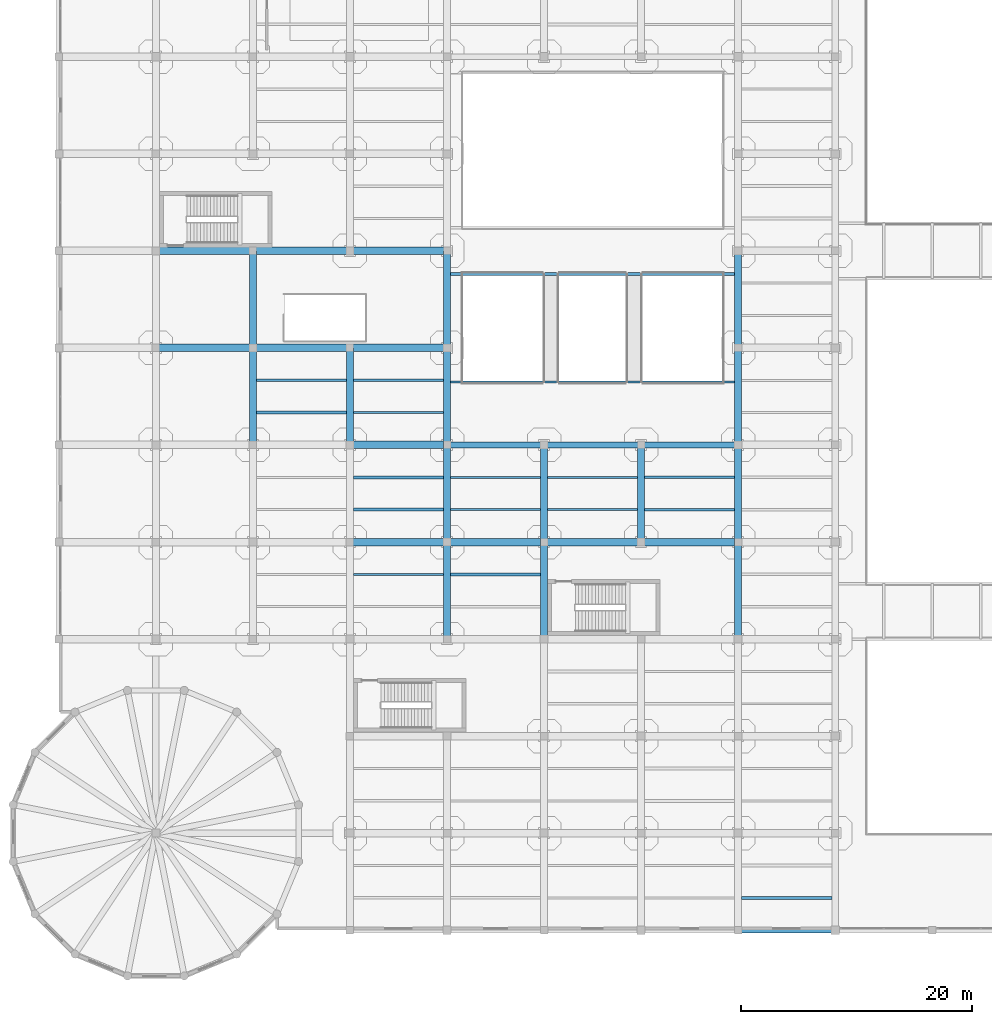
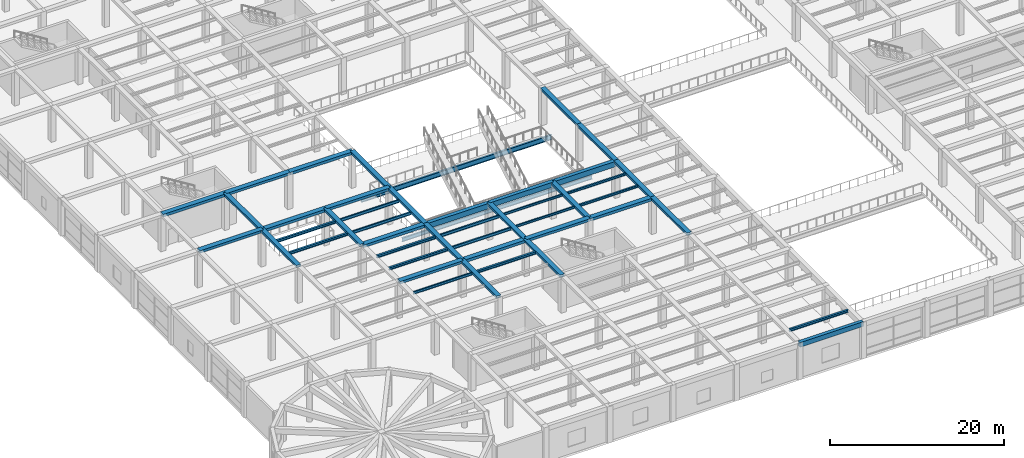
# One storey, part 10 of 65: 46 beams.
"""IFC4 building model written with IfcOpenShell, lengths in metres."""

from ifc_helpers import new_model, si_unit, direction, frame, origin, origin_2d, place, context, subcontext, project, spatial, rectangle, i_section, extrude, material, material_profile, profile_set, type_object, element, save


model = new_model("IFC4")

# Units and contexts
model_context = context("Model", 3, precision=1e-05, world=origin(), true_north=direction((0.0, 1.0)))
body_context = subcontext(model_context, "Body", "Model", "MODEL_VIEW")
ifc_project = project(units=[si_unit("LENGTHUNIT", "METRE"), si_unit("AREAUNIT", "SQUARE_METRE"), si_unit("VOLUMEUNIT", "CUBIC_METRE"), si_unit("PLANEANGLEUNIT", "RADIAN"), si_unit("MASSUNIT", "GRAM", prefix="KILO")], contexts=[model_context])

# Site, building, storey
site_placement = place(None, origin())
site = spatial("IfcSite", under=ifc_project, at=site_placement, CompositionType="ELEMENT")
building_placement = place(site_placement, origin())
building = spatial("IfcBuilding", under=site, at=building_placement, Name="Almacenes y Pasaje Nevantli", CompositionType="ELEMENT")
storey_placement = place(building_placement, frame((0.0, 0.0, 16.800048828125)))
storey = spatial("IfcBuildingStorey", under=building, at=storey_placement, Name="L04", CompositionType="ELEMENT", Elevation=16.800048828125)

# Beams
ifc_material_1 = material(Name="Concrete C35/45", Category="concrete")
ifc_material_profile_1 = material_profile(ifc_material_1, rectangle(XDim=0.449951171875, YDim=0.64990234375, at=origin_2d()), Name="RC-BM-450x650")
ifc_profile_set_1 = profile_set([ifc_material_profile_1], Name="Concrete C35/45")
beam_type_1 = type_object("IfcBeamType", Name="BM-RC-450x650", PredefinedType="SPANDREL", material=ifc_profile_set_1)
beam_1_placement = place(storey_placement, frame((58.800048828125, 0.0, 4.77490234375), z_axis=(1.0, 0.0, 0.0), x_axis=(0.0, 1.0, 0.0)))
element("IfcBeam", 1, at=beam_1_placement, inside=storey, type_object=beam_type_1, Name="L04 East-West Reinforced Concrete Beam #2754", PredefinedType="SPANDREL", context=body_context, shape_type="SweptSolid", body=[
    extrude(rectangle(XDim=0.449951171875, YDim=0.64990234375, at=origin_2d()), origin(), (0.0, 0.0, 1.0), 8.39990234375),
])
ifc_material_2 = material(Name="Concrete C35/45", Category="concrete")
ifc_material_profile_2 = material_profile(ifc_material_2, rectangle(XDim=0.5, YDim=0.699951171875, at=origin_2d()), Name="RC-BM-500x700")
ifc_profile_set_2 = profile_set([ifc_material_profile_2], Name="Concrete C35/45")
beam_type_2 = type_object("IfcBeamType", Name="BM-RC-500x700", PredefinedType="BEAM", material=ifc_profile_set_2)
beam_2_placement = place(storey_placement, frame((42.0, 42.0, 4.75), z_axis=(1.0, 0.0, 0.0), x_axis=(0.0, 1.0, 0.0)))
element("IfcBeam", 2, at=beam_2_placement, inside=storey, type_object=beam_type_2, Name="L04 East-West Reinforced Concrete Beam #2834", PredefinedType="BEAM", context=body_context, shape_type="SweptSolid", body=[
    extrude(rectangle(XDim=0.5, YDim=0.699951171875, at=origin_2d()), origin(), (0.0, 0.0, 1.0), 8.39990234375),
])
ifc_material_3 = material(Name="Concrete C35/45", Category="concrete")
ifc_material_profile_3 = material_profile(ifc_material_3, rectangle(XDim=0.5, YDim=0.75, at=origin_2d()), Name="RC-BM-500x750")
ifc_profile_set_3 = profile_set([ifc_material_profile_3], Name="Concrete C35/45")
beam_type_3 = type_object("IfcBeamType", Name="BM-RC-500x750", PredefinedType="BEAM", material=ifc_profile_set_3)
beam_3_placement = place(storey_placement, frame((33.60009765625, 42.0, 4.724853515625), z_axis=(1.0, 0.0, 0.0), x_axis=(0.0, 1.0, 0.0)))
element("IfcBeam", 3, at=beam_3_placement, inside=storey, type_object=beam_type_3, Name="L04 East-West Reinforced Concrete Beam #2833", PredefinedType="BEAM", context=body_context, shape_type="SweptSolid", body=[
    extrude(rectangle(XDim=0.5, YDim=0.75, at=origin_2d()), origin(), (0.0, 0.0, 1.0), 8.39990234375),
])
beam_4_placement = place(storey_placement, frame((50.39990234375, 42.0, 4.724853515625), z_axis=(1.0, 0.0, 0.0), x_axis=(0.0, 1.0, 0.0)))
element("IfcBeam", 4, at=beam_4_placement, inside=storey, type_object=beam_type_3, Name="L04 East-West Reinforced Concrete Beam #2835", PredefinedType="BEAM", context=body_context, shape_type="SweptSolid", body=[
    extrude(rectangle(XDim=0.5, YDim=0.75, at=origin_2d()), origin(), (0.0, 0.0, 1.0), 8.400146484375),
])
ifc_material_4 = material(Name="Concrete C35/45", Category="concrete")
ifc_material_profile_4 = material_profile(ifc_material_4, rectangle(XDim=0.60009765625, YDim=0.320068359375, at=origin_2d()), Name="RC-BM-600x320")
ifc_profile_set_4 = profile_set([ifc_material_profile_4], Name="Concrete C35/45")
beam_type_4 = type_object("IfcBeamType", Name="BM-RC-600x320", PredefinedType="BEAM", material=ifc_profile_set_4)
beam_5_placement = place(storey_placement, frame((16.800048828125, 42.0, 4.93994140625), z_axis=(0.0, 1.0, 0.0), x_axis=(-1.0, 0.0, 0.0)))
element("IfcBeam", 5, at=beam_5_placement, inside=storey, type_object=beam_type_4, Name="L04 North-South Reinforced Concrete Beam #3017", PredefinedType="BEAM", context=body_context, shape_type="SweptSolid", body=[
    extrude(rectangle(XDim=0.60009765625, YDim=0.320068359375, at=origin_2d()), origin(), (0.0, 0.0, 1.0), 8.39990234375),
])
beam_6_placement = place(storey_placement, frame((33.60009765625, 25.199951171875, 4.93994140625), z_axis=(0.0, 1.0, 0.0), x_axis=(-1.0, 0.0, 0.0)))
element("IfcBeam", 6, at=beam_6_placement, inside=storey, type_object=beam_type_4, Name="L04 North-South Reinforced Concrete Beam #3039", PredefinedType="BEAM", context=body_context, shape_type="SweptSolid", body=[
    extrude(rectangle(XDim=0.60009765625, YDim=0.320068359375, at=origin_2d()), origin(), (0.0, 0.0, 1.0), 8.400146484375),
])
for number, where, z_axis, x_axis, name in (
    (7, (33.60009765625, 42.0, 4.93994140625), (0.0, 1.0, 0.0), (-1.0, 0.0, 0.0), "L04 North-South Reinforced Concrete Beam #3041"),
    (8, (42.0, 33.60009765625, 4.93994140625), (0.0, 1.0, 0.0), (-1.0, 0.0, 0.0), "L04 North-South Reinforced Concrete Beam #3054"),
    (9, (58.800048828125, 33.60009765625, 4.93994140625), (0.0, 1.0, 0.0), (-1.0, 0.0, 0.0), "L04 North-South Reinforced Concrete Beam #3072"),
):
    element("IfcBeam", number, at=place(storey_placement, frame(where, z_axis=z_axis, x_axis=x_axis)), inside=storey, type_object=beam_type_4, Name=name, PredefinedType="BEAM", context=body_context, shape_type="SweptSolid", body=[
        extrude(rectangle(XDim=0.60009765625, YDim=0.320068359375, at=origin_2d()), origin(), (0.0, 0.0, 1.0), 8.39990234375),
    ])
beam_7_placement = place(storey_placement, frame((58.800048828125, 50.39990234375, 4.93994140625), z_axis=(0.0, 1.0, 0.0), x_axis=(-1.0, 0.0, 0.0)))
element("IfcBeam", 10, at=beam_7_placement, inside=storey, type_object=beam_type_4, Name="L04 North-South Reinforced Concrete Beam #3074", PredefinedType="BEAM", context=body_context, shape_type="SweptSolid", body=[
    extrude(rectangle(XDim=0.60009765625, YDim=0.320068359375, at=origin_2d()), origin(), (0.0, 0.0, 1.0), 8.400146484375),
])
ifc_material_5 = material(Name="Concrete C35/45", Category="concrete")
ifc_material_profile_5 = material_profile(ifc_material_5, rectangle(XDim=0.60009765625, YDim=0.340087890625, at=origin_2d()), Name="RC-BM-600x340")
ifc_profile_set_5 = profile_set([ifc_material_profile_5], Name="Concrete C35/45")
beam_type_5 = type_object("IfcBeamType", Name="BM-RC-600x340", PredefinedType="BEAM", material=ifc_profile_set_5)
beam_8_placement = place(storey_placement, frame((16.800048828125, 50.39990234375, 4.929931640625), z_axis=(0.0, 1.0, 0.0), x_axis=(-1.0, 0.0, 0.0)))
element("IfcBeam", 11, at=beam_8_placement, inside=storey, type_object=beam_type_5, Name="L04 North-South Reinforced Concrete Beam #3018", PredefinedType="BEAM", context=body_context, shape_type="SweptSolid", body=[
    extrude(rectangle(XDim=0.60009765625, YDim=0.340087890625, at=origin_2d()), origin(), (0.0, 0.0, 1.0), 8.400146484375),
])
for number, where, z_axis, x_axis, name in (
    (12, (25.199951171875, 42.0, 4.929931640625), (0.0, 1.0, 0.0), (-1.0, 0.0, 0.0), "L04 North-South Reinforced Concrete Beam #3029"),
    (13, (33.60009765625, 33.60009765625, 4.929931640625), (0.0, 1.0, 0.0), (-1.0, 0.0, 0.0), "L04 North-South Reinforced Concrete Beam #3040"),
):
    element("IfcBeam", number, at=place(storey_placement, frame(where, z_axis=z_axis, x_axis=x_axis)), inside=storey, type_object=beam_type_5, Name=name, PredefinedType="BEAM", context=body_context, shape_type="SweptSolid", body=[
        extrude(rectangle(XDim=0.60009765625, YDim=0.340087890625, at=origin_2d()), origin(), (0.0, 0.0, 1.0), 8.39990234375),
    ])
for number, where, z_axis, x_axis, name in (
    (14, (33.60009765625, 50.39990234375, 4.929931640625), (0.0, 1.0, 0.0), (-1.0, 0.0, 0.0), "L04 North-South Reinforced Concrete Beam #3042"),
    (15, (42.0, 25.199951171875, 4.929931640625), (0.0, 1.0, 0.0), (-1.0, 0.0, 0.0), "L04 North-South Reinforced Concrete Beam #3053"),
):
    element("IfcBeam", number, at=place(storey_placement, frame(where, z_axis=z_axis, x_axis=x_axis)), inside=storey, type_object=beam_type_5, Name=name, PredefinedType="BEAM", context=body_context, shape_type="SweptSolid", body=[
        extrude(rectangle(XDim=0.60009765625, YDim=0.340087890625, at=origin_2d()), origin(), (0.0, 0.0, 1.0), 8.400146484375),
    ])
beam_9_placement = place(storey_placement, frame((50.39990234375, 33.60009765625, 4.929931640625), z_axis=(0.0, 1.0, 0.0), x_axis=(-1.0, 0.0, 0.0)))
element("IfcBeam", 16, at=beam_9_placement, inside=storey, type_object=beam_type_5, Name="L04 North-South Reinforced Concrete Beam #3062", PredefinedType="BEAM", context=body_context, shape_type="SweptSolid", body=[
    extrude(rectangle(XDim=0.60009765625, YDim=0.340087890625, at=origin_2d()), origin(), (0.0, 0.0, 1.0), 8.39990234375),
])
beam_10_placement = place(storey_placement, frame((58.800048828125, 25.199951171875, 4.929931640625), z_axis=(0.0, 1.0, 0.0), x_axis=(-1.0, 0.0, 0.0)))
element("IfcBeam", 17, at=beam_10_placement, inside=storey, type_object=beam_type_5, Name="L04 North-South Reinforced Concrete Beam #3071", PredefinedType="BEAM", context=body_context, shape_type="SweptSolid", body=[
    extrude(rectangle(XDim=0.60009765625, YDim=0.340087890625, at=origin_2d()), origin(), (0.0, 0.0, 1.0), 8.400146484375),
])
beam_11_placement = place(storey_placement, frame((58.800048828125, 42.0, 4.929931640625), z_axis=(0.0, 1.0, 0.0), x_axis=(-1.0, 0.0, 0.0)))
element("IfcBeam", 18, at=beam_11_placement, inside=storey, type_object=beam_type_5, Name="L04 North-South Reinforced Concrete Beam #3073", PredefinedType="BEAM", context=body_context, shape_type="SweptSolid", body=[
    extrude(rectangle(XDim=0.60009765625, YDim=0.340087890625, at=origin_2d()), origin(), (0.0, 0.0, 1.0), 8.39990234375),
])
ifc_material_6 = material(Name="Concrete C35/45", Category="concrete")
ifc_material_profile_6 = material_profile(ifc_material_6, rectangle(XDim=0.64990234375, YDim=0.35009765625, at=origin_2d()), Name="RC-BM-650x350")
ifc_profile_set_6 = profile_set([ifc_material_profile_6], Name="Concrete C35/45")
beam_type_6 = type_object("IfcBeamType", Name="BM-RC-650x350", PredefinedType="BEAM", material=ifc_profile_set_6)
beam_12_placement = place(storey_placement, frame((25.199951171875, 33.60009765625, 4.925048828125), z_axis=(1.0, 0.0, 0.0), x_axis=(0.0, 1.0, 0.0)))
element("IfcBeam", 19, at=beam_12_placement, inside=storey, type_object=beam_type_6, Name="L04 East-West Reinforced Concrete Beam #2815", PredefinedType="BEAM", context=body_context, shape_type="SweptSolid", body=[
    extrude(rectangle(XDim=0.64990234375, YDim=0.35009765625, at=origin_2d()), origin(), (0.0, 0.0, 1.0), 8.400146484375),
])
beam_13_placement = place(storey_placement, frame((42.0, 33.60009765625, 4.925048828125), z_axis=(1.0, 0.0, 0.0), x_axis=(0.0, 1.0, 0.0)))
element("IfcBeam", 20, at=beam_13_placement, inside=storey, type_object=beam_type_6, Name="L04 East-West Reinforced Concrete Beam #2817", PredefinedType="BEAM", context=body_context, shape_type="SweptSolid", body=[
    extrude(rectangle(XDim=0.64990234375, YDim=0.35009765625, at=origin_2d()), origin(), (0.0, 0.0, 1.0), 8.39990234375),
])
for number, where, z_axis, x_axis, name in (
    (21, (8.39990234375, 50.39990234375, 4.925048828125), (1.0, 0.0, 0.0), (0.0, 1.0, 0.0), "L04 East-West Reinforced Concrete Beam #2847"),
    (22, (25.199951171875, 50.39990234375, 4.925048828125), (1.0, 0.0, 0.0), (0.0, 1.0, 0.0), "L04 East-West Reinforced Concrete Beam #2849"),
):
    element("IfcBeam", number, at=place(storey_placement, frame(where, z_axis=z_axis, x_axis=x_axis)), inside=storey, type_object=beam_type_6, Name=name, PredefinedType="BEAM", context=body_context, shape_type="SweptSolid", body=[
        extrude(rectangle(XDim=0.64990234375, YDim=0.35009765625, at=origin_2d()), origin(), (0.0, 0.0, 1.0), 8.400146484375),
    ])
beam_14_placement = place(storey_placement, frame((16.800048828125, 58.800048828125, 4.925048828125), z_axis=(1.0, 0.0, 0.0), x_axis=(0.0, 1.0, 0.0)))
element("IfcBeam", 23, at=beam_14_placement, inside=storey, type_object=beam_type_6, Name="L04 East-West Reinforced Concrete Beam #2862", PredefinedType="BEAM", context=body_context, shape_type="SweptSolid", body=[
    extrude(rectangle(XDim=0.64990234375, YDim=0.35009765625, at=origin_2d()), origin(), (0.0, 0.0, 1.0), 8.39990234375),
])
ifc_material_7 = material(Name="Concrete C35/45", Category="concrete")
ifc_material_profile_7 = material_profile(ifc_material_7, rectangle(XDim=0.64990234375, YDim=0.3798828125, at=origin_2d()), Name="RC-BM-650x380")
ifc_profile_set_7 = profile_set([ifc_material_profile_7], Name="Concrete C35/45")
beam_type_7 = type_object("IfcBeamType", Name="BM-RC-650x380", PredefinedType="BEAM", material=ifc_profile_set_7)
beam_15_placement = place(storey_placement, frame((33.60009765625, 33.60009765625, 4.909912109375), z_axis=(1.0, 0.0, 0.0), x_axis=(0.0, 1.0, 0.0)))
element("IfcBeam", 24, at=beam_15_placement, inside=storey, type_object=beam_type_7, Name="L04 East-West Reinforced Concrete Beam #2816", PredefinedType="BEAM", context=body_context, shape_type="SweptSolid", body=[
    extrude(rectangle(XDim=0.64990234375, YDim=0.3798828125, at=origin_2d()), origin(), (0.0, 0.0, 1.0), 8.39990234375),
])
for number, where, z_axis, x_axis, name in (
    (25, (50.39990234375, 33.60009765625, 4.909912109375), (1.0, 0.0, 0.0), (0.0, 1.0, 0.0), "L04 East-West Reinforced Concrete Beam #2818"),
    (26, (25.199951171875, 42.0, 4.909912109375), (1.0, 0.0, 0.0), (0.0, 1.0, 0.0), "L04 East-West Reinforced Concrete Beam #2832"),
):
    element("IfcBeam", number, at=place(storey_placement, frame(where, z_axis=z_axis, x_axis=x_axis)), inside=storey, type_object=beam_type_7, Name=name, PredefinedType="BEAM", context=body_context, shape_type="SweptSolid", body=[
        extrude(rectangle(XDim=0.64990234375, YDim=0.3798828125, at=origin_2d()), origin(), (0.0, 0.0, 1.0), 8.400146484375),
    ])
beam_16_placement = place(storey_placement, frame((16.800048828125, 50.39990234375, 4.909912109375), z_axis=(1.0, 0.0, 0.0), x_axis=(0.0, 1.0, 0.0)))
element("IfcBeam", 27, at=beam_16_placement, inside=storey, type_object=beam_type_7, Name="L04 East-West Reinforced Concrete Beam #2848", PredefinedType="BEAM", context=body_context, shape_type="SweptSolid", body=[
    extrude(rectangle(XDim=0.64990234375, YDim=0.3798828125, at=origin_2d()), origin(), (0.0, 0.0, 1.0), 8.39990234375),
])
for number, where, z_axis, x_axis, name in (
    (28, (8.39990234375, 58.800048828125, 4.909912109375), (1.0, 0.0, 0.0), (0.0, 1.0, 0.0), "L04 East-West Reinforced Concrete Beam #2861"),
    (29, (25.199951171875, 58.800048828125, 4.909912109375), (1.0, 0.0, 0.0), (0.0, 1.0, 0.0), "L04 East-West Reinforced Concrete Beam #2863"),
):
    element("IfcBeam", number, at=place(storey_placement, frame(where, z_axis=z_axis, x_axis=x_axis)), inside=storey, type_object=beam_type_7, Name=name, PredefinedType="BEAM", context=body_context, shape_type="SweptSolid", body=[
        extrude(rectangle(XDim=0.64990234375, YDim=0.3798828125, at=origin_2d()), origin(), (0.0, 0.0, 1.0), 8.400146484375),
    ])
ifc_material_8 = material(Name="Steel ASTM A992", Category="steel")
ifc_material_profile_8 = material_profile(ifc_material_8, i_section(OverallWidth=0.1650390625, OverallDepth=0.306884765625, WebThickness=0.006591796875, FlangeThickness=0.01025390625, at=origin_2d()), Name="IR 305x44.6")
ifc_profile_set_8 = profile_set([ifc_material_profile_8], Name="Steel ASTM A992")
beam_type_8 = type_object("IfcBeamType", Name="BM-STL-IR-305x44p6", PredefinedType="JOIST", material=ifc_profile_set_8)
for number, where, z_axis, x_axis, name in (
    (30, (42.300048828125, 36.39990234375, 4.9384765625), (1.0, 0.0, 0.0), (0.0, 1.0, 0.0), "L04 Secondary Steel Floor Joist #1081"),
    (31, (42.300048828125, 39.199951171875, 4.9384765625), (1.0, 0.0, 0.0), (0.0, 1.0, 0.0), "L04 Secondary Steel Floor Joist #1082"),
):
    element("IfcBeam", number, at=place(storey_placement, frame(where, z_axis=z_axis, x_axis=x_axis)), inside=storey, type_object=beam_type_8, Name=name, PredefinedType="JOIST", context=body_context, shape_type="SweptSolid", body=[
        extrude(i_section(OverallWidth=0.1650390625, OverallDepth=0.306884765625, WebThickness=0.006591796875, FlangeThickness=0.01025390625, at=origin_2d()), origin(), (0.0, 0.0, 1.0), 7.800048828125),
    ])
ifc_material_9 = material(Name="Steel ASTM A992", Category="steel")
ifc_material_profile_9 = material_profile(ifc_material_9, i_section(OverallWidth=0.202880859375, OverallDepth=0.304931640625, WebThickness=0.007568359375, FlangeThickness=0.01318359375, at=origin_2d()), Name="IR 305x59.5")
ifc_profile_set_9 = profile_set([ifc_material_profile_9], Name="Steel ASTM A992")
beam_type_9 = type_object("IfcBeamType", Name="BM-STL-IR-305x59p5", PredefinedType="JOIST", material=ifc_profile_set_9)
for number, where, z_axis, x_axis, name in (
    (32, (50.699951171875, 36.39990234375, 4.939453125), (1.0, 0.0, 0.0), (0.0, 1.0, 0.0), "L04 Secondary Steel Floor Joist #1097"),
    (33, (50.699951171875, 39.199951171875, 4.939453125), (1.0, 0.0, 0.0), (0.0, 1.0, 0.0), "L04 Secondary Steel Floor Joist #1098"),
):
    element("IfcBeam", number, at=place(storey_placement, frame(where, z_axis=z_axis, x_axis=x_axis)), inside=storey, type_object=beam_type_9, Name=name, PredefinedType="JOIST", context=body_context, shape_type="SweptSolid", body=[
        extrude(i_section(OverallWidth=0.202880859375, OverallDepth=0.304931640625, WebThickness=0.007568359375, FlangeThickness=0.01318359375, at=origin_2d()), origin(), (0.0, 0.0, 1.0), 7.800048828125),
    ])
ifc_material_10 = material(Name="Steel ASTM A992", Category="steel")
ifc_material_profile_10 = material_profile(ifc_material_10, i_section(OverallWidth=0.173095703125, OverallDepth=0.364013671875, WebThickness=0.009033203125, FlangeThickness=0.015625, at=origin_2d()), Name="IR 356x67.0")
ifc_profile_set_10 = profile_set([ifc_material_profile_10], Name="Steel ASTM A992")
beam_type_10 = type_object("IfcBeamType", Name="BM-STL-IR-356x67p0", PredefinedType="JOIST", material=ifc_profile_set_10)
beam_17_placement = place(storey_placement, frame((25.5, 30.800048828125, 4.909912109375), z_axis=(1.0, 0.0, 0.0), x_axis=(0.0, 1.0, 0.0)))
element("IfcBeam", 34, at=beam_17_placement, inside=storey, type_object=beam_type_10, Name="L04 Secondary Steel Floor Joist #1040", PredefinedType="JOIST", context=body_context, shape_type="SweptSolid", body=[
    extrude(i_section(OverallWidth=0.173095703125, OverallDepth=0.364013671875, WebThickness=0.009033203125, FlangeThickness=0.015625, at=origin_2d()), origin(), (0.0, 0.0, 1.0), 7.800048828125),
])
ifc_material_11 = material(Name="Steel ASTM A992", Category="steel")
ifc_material_profile_11 = material_profile(ifc_material_11, i_section(OverallWidth=0.25390625, OverallDepth=0.35595703125, WebThickness=0.009521484375, FlangeThickness=0.016357421875, at=origin_2d()), Name="IR 356x79.0")
ifc_profile_set_11 = profile_set([ifc_material_profile_11], Name="Steel ASTM A992")
beam_type_11 = type_object("IfcBeamType", Name="BM-STL-IR-356x79p0", PredefinedType="JOIST", material=ifc_profile_set_11)
for number, where, z_axis, x_axis, name in (
    (35, (17.10009765625, 44.800048828125, 4.9140625), (1.0, 0.0, 0.0), (0.0, 1.0, 0.0), "L04 Secondary Steel Floor Joist #1023"),
    (36, (17.10009765625, 47.60009765625, 4.9140625), (1.0, 0.0, 0.0), (0.0, 1.0, 0.0), "L04 Secondary Steel Floor Joist #1024"),
):
    element("IfcBeam", number, at=place(storey_placement, frame(where, z_axis=z_axis, x_axis=x_axis)), inside=storey, type_object=beam_type_11, Name=name, PredefinedType="JOIST", context=body_context, shape_type="SweptSolid", body=[
        extrude(i_section(OverallWidth=0.25390625, OverallDepth=0.35595703125, WebThickness=0.009521484375, FlangeThickness=0.016357421875, at=origin_2d()), origin(), (0.0, 0.0, 1.0), 7.7998046875),
    ])
for number, where, z_axis, x_axis, name in (
    (37, (25.5, 36.39990234375, 4.9140625), (1.0, 0.0, 0.0), (0.0, 1.0, 0.0), "L04 Secondary Steel Floor Joist #1041"),
    (38, (25.5, 39.199951171875, 4.9140625), (1.0, 0.0, 0.0), (0.0, 1.0, 0.0), "L04 Secondary Steel Floor Joist #1042"),
    (39, (33.89990234375, 30.800048828125, 4.9140625), (1.0, 0.0, 0.0), (0.0, 1.0, 0.0), "L04 Secondary Steel Floor Joist #1064"),
):
    element("IfcBeam", number, at=place(storey_placement, frame(where, z_axis=z_axis, x_axis=x_axis)), inside=storey, type_object=beam_type_11, Name=name, PredefinedType="JOIST", context=body_context, shape_type="SweptSolid", body=[
        extrude(i_section(OverallWidth=0.25390625, OverallDepth=0.35595703125, WebThickness=0.009521484375, FlangeThickness=0.016357421875, at=origin_2d()), origin(), (0.0, 0.0, 1.0), 7.800048828125),
    ])
beam_18_placement = place(storey_placement, frame((59.10009765625, 2.800048828125, 4.9140625), z_axis=(1.0, 0.0, 0.0), x_axis=(0.0, 1.0, 0.0)))
element("IfcBeam", 40, at=beam_18_placement, inside=storey, type_object=beam_type_11, Name="L04 Secondary Steel Floor Joist #1107", PredefinedType="JOIST", context=body_context, shape_type="SweptSolid", body=[
    extrude(i_section(OverallWidth=0.25390625, OverallDepth=0.35595703125, WebThickness=0.009521484375, FlangeThickness=0.016357421875, at=origin_2d()), origin(), (0.0, 0.0, 1.0), 7.824951171875),
])
ifc_material_12 = material(Name="Steel ASTM A992", Category="steel")
ifc_material_profile_12 = material_profile(ifc_material_12, i_section(OverallWidth=0.178955078125, OverallDepth=0.406005859375, WebThickness=0.0087890625, FlangeThickness=0.014404296875, at=origin_2d()), Name="IR 406x67.0")
ifc_profile_set_12 = profile_set([ifc_material_profile_12], Name="Steel ASTM A992")
beam_type_12 = type_object("IfcBeamType", Name="BM-STL-IR-406x67p0", PredefinedType="JOIST", material=ifc_profile_set_12)
for number, where, z_axis, x_axis, name in (
    (41, (25.5, 44.800048828125, 4.888916015625), (1.0, 0.0, 0.0), (0.0, 1.0, 0.0), "L04 Secondary Steel Floor Joist #1043"),
    (42, (25.5, 47.60009765625, 4.888916015625), (1.0, 0.0, 0.0), (0.0, 1.0, 0.0), "L04 Secondary Steel Floor Joist #1044"),
    (43, (33.89990234375, 36.39990234375, 4.888916015625), (1.0, 0.0, 0.0), (0.0, 1.0, 0.0), "L04 Secondary Steel Floor Joist #1065"),
    (44, (33.89990234375, 39.199951171875, 4.888916015625), (1.0, 0.0, 0.0), (0.0, 1.0, 0.0), "L04 Secondary Steel Floor Joist #1066"),
):
    element("IfcBeam", number, at=place(storey_placement, frame(where, z_axis=z_axis, x_axis=x_axis)), inside=storey, type_object=beam_type_12, Name=name, PredefinedType="JOIST", context=body_context, shape_type="SweptSolid", body=[
        extrude(i_section(OverallWidth=0.178955078125, OverallDepth=0.406005859375, WebThickness=0.0087890625, FlangeThickness=0.014404296875, at=origin_2d()), origin(), (0.0, 0.0, 1.0), 7.800048828125),
    ])
ifc_material_13 = material(Name="Steel ASTM A992", Category="steel")
ifc_material_profile_13 = material_profile(ifc_material_13, i_section(OverallWidth=0.2119140625, OverallDepth=0.5439453125, WebThickness=0.01318359375, FlangeThickness=0.021240234375, at=origin_2d()), Name="IR 533x123.5")
ifc_profile_set_13 = profile_set([ifc_material_profile_13], Name="Steel ASTM A992")
beam_type_13 = type_object("IfcBeamType", Name="BM-STL-IR-533x123p5", PredefinedType="BEAM", material=ifc_profile_set_13)
beam_19_placement = place(storey_placement, frame((33.60009765625, 47.449951171875, -0.580078125), z_axis=(1.0, 0.0, 0.0), x_axis=(0.0, 1.0, 0.0)))
element("IfcBeam", 45, at=beam_19_placement, inside=storey, type_object=beam_type_13, Name="L04 Atrium Escalator Bridge and Trimmer Girder #1", PredefinedType="BEAM", context=body_context, shape_type="SweptSolid", body=[
    extrude(i_section(OverallWidth=0.2119140625, OverallDepth=0.5439453125, WebThickness=0.01318359375, FlangeThickness=0.021240234375, at=origin_2d()), origin(), (0.0, 0.0, 1.0), 25.199951171875),
])
ifc_material_14 = material(Name="Steel ASTM A992", Category="steel")
ifc_material_profile_14 = material_profile(ifc_material_14, i_section(OverallWidth=0.25390625, OverallDepth=0.68798828125, WebThickness=0.01318359375, FlangeThickness=0.02099609375, at=origin_2d()), Name="IR 686x152.0")
ifc_profile_set_14 = profile_set([ifc_material_profile_14], Name="Steel ASTM A992")
beam_type_14 = type_object("IfcBeamType", Name="BM-STL-IR-686x152p0", PredefinedType="BEAM", material=ifc_profile_set_14)
beam_20_placement = place(storey_placement, frame((33.60009765625, 56.800048828125, -0.652099609375), z_axis=(1.0, 0.0, 0.0), x_axis=(0.0, 1.0, 0.0)))
element("IfcBeam", 46, at=beam_20_placement, inside=storey, type_object=beam_type_14, Name="L04 Atrium Escalator Bridge and Trimmer Girder #2", PredefinedType="BEAM", context=body_context, shape_type="SweptSolid", body=[
    extrude(i_section(OverallWidth=0.25390625, OverallDepth=0.68798828125, WebThickness=0.01318359375, FlangeThickness=0.02099609375, at=origin_2d()), origin(), (0.0, 0.0, 1.0), 25.199951171875),
])

save(model, "model.ifc")
